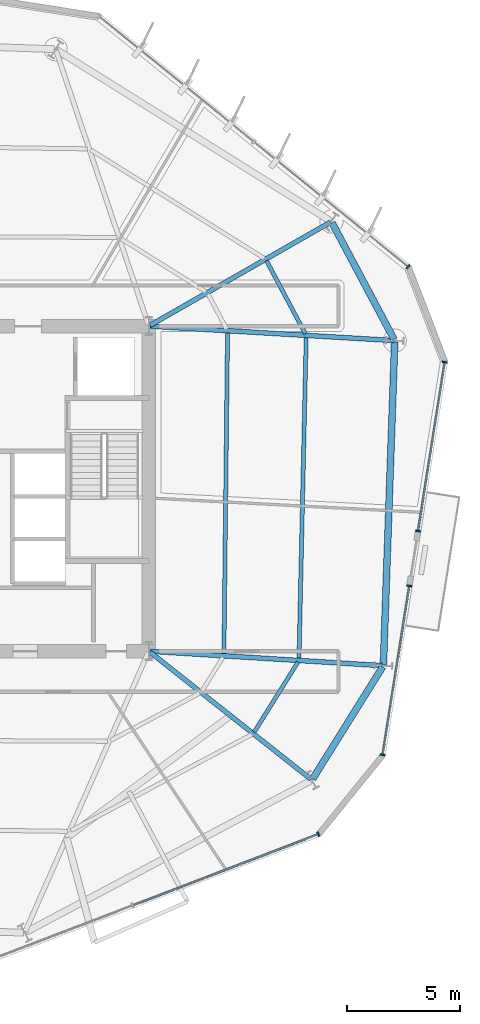
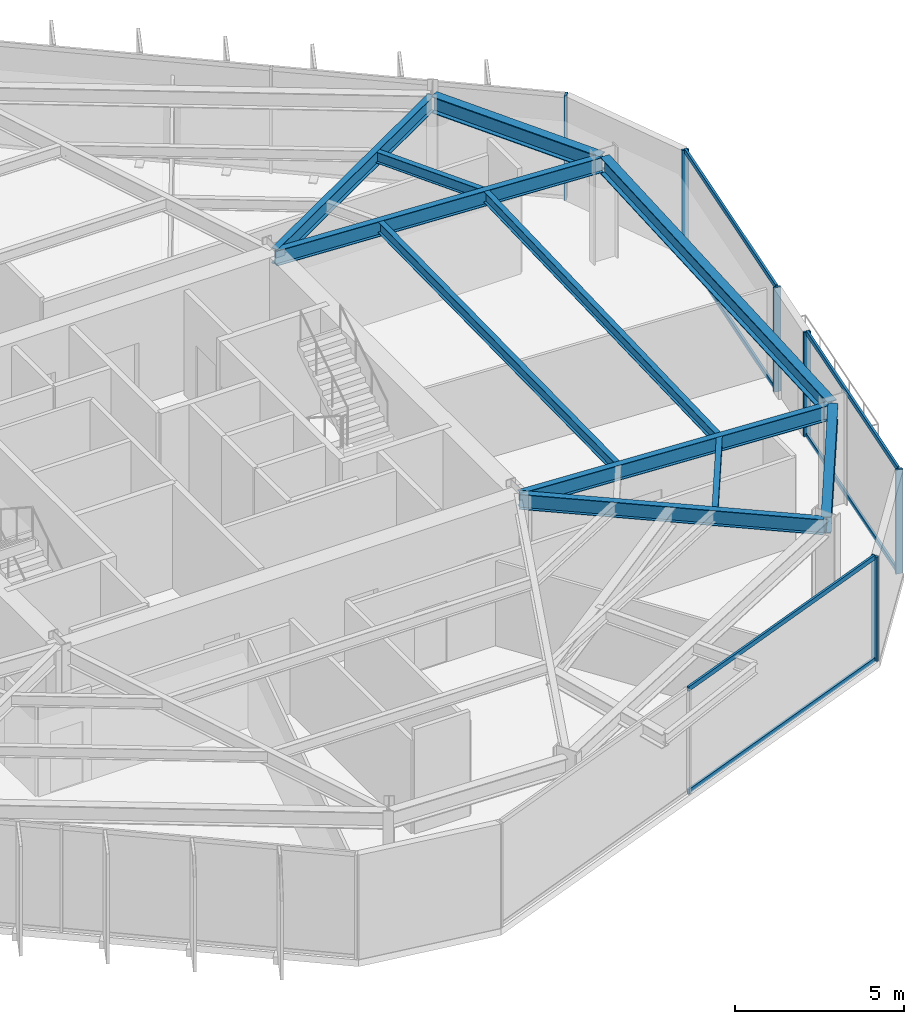
# One storey, part 4 of 11: 12 members, 11 beams, 4 elements without a shape of their own.
"""IFC4 building model written with IfcOpenShell, lengths in metres."""

from ifc_helpers import new_model, si_unit, direction, frame, origin, origin_2d, place, context, subcontext, project, spatial, rectangle, i_section, extrude, material, layer, layer_set, material_profile, profile_set, type_object, element, aggregate, save


model = new_model("IFC4")

# Units and contexts
model_context = context("Model", 3, precision=1e-05, world=origin(), true_north=direction((0.0, 1.0)))
body_context = subcontext(model_context, "Body", "Model", "MODEL_VIEW")
ifc_project = project(units=[si_unit("LENGTHUNIT", "METRE"), si_unit("AREAUNIT", "SQUARE_METRE"), si_unit("VOLUMEUNIT", "CUBIC_METRE"), si_unit("PLANEANGLEUNIT", "RADIAN"), si_unit("MASSUNIT", "GRAM", prefix="KILO")], contexts=[model_context])

# Site, building, storey
site_placement = place(None, origin())
site = spatial("IfcSite", under=ifc_project, at=site_placement, CompositionType="ELEMENT")
building_placement = place(site_placement, origin())
building = spatial("IfcBuilding", under=site, at=building_placement, Name="Kranzbogen Civic Tower", CompositionType="ELEMENT")
storey_placement = place(building_placement, frame((0.0, 0.0, 106.39990234375)))
storey = spatial("IfcBuildingStorey", under=building, at=storey_placement, Name="L25", CompositionType="ELEMENT", Elevation=106.39990234375)

# Curtain wall, member
ifc_material_1 = material(Name="Pale Anodised Aluminium", Category="aluminium")
ifc_layer = layer(ifc_material_1, 0.219970703125, Name="Pale Anodised Aluminium")
ifc_layer_set = layer_set([ifc_layer], Name="Pale Anodised Aluminium")
curtain_wall_type = type_object("IfcCurtainWallType", Name="Zone 2 Stick Curtain Wall System CW-03", PredefinedType="USERDEFINED", material=ifc_layer_set)
curtain_wall_1_placement = place(storey_placement, origin())
curtain_wall_1 = element("IfcCurtainWall", 1, at=curtain_wall_1_placement, inside=storey, type_object=curtain_wall_type, Name="L25 curtain wall CW-L25-F1", ObjectType="STICK CURTAIN WALL", PredefinedType="USERDEFINED")
ifc_material_profile_1 = material_profile(ifc_material_1, rectangle(XDim=0.074951171875, YDim=0.219970703125, at=origin_2d()), Name="ALU-M 75x220")
ifc_profile_set_1 = profile_set([ifc_material_profile_1], Name="Pale Anodised Aluminium")
member_type_1 = type_object("IfcMemberType", Name="Curtain Wall Mullion ALU-M 75x220", PredefinedType="MULLION", material=ifc_profile_set_1)
member_1_placement = place(storey_placement, frame((44.28466796875, 34.825927734375, 0.0), z_axis=(0.0, 0.0, 1.0), x_axis=(-0.777127546446, 0.629343131014, 0.0)))
member_1 = element("IfcMember", 2, at=member_1_placement, type_object=member_type_1, Name="CW-03 mullion 1", PredefinedType="MULLION", context=body_context, shape_type="SweptSolid", body=[
    extrude(rectangle(XDim=0.074951171875, YDim=0.219970703125, at=origin_2d()), origin(), (0.0, 0.0, 1.0), 3.760009765625),
])
aggregate(curtain_wall_1, [member_1])

curtain_wall_2_placement = place(storey_placement, origin())
curtain_wall_2 = element("IfcCurtainWall", 3, at=curtain_wall_2_placement, inside=storey, type_object=curtain_wall_type, Name="L25 curtain wall CW-L25-F5", ObjectType="STICK CURTAIN WALL", PredefinedType="USERDEFINED")
member_2_placement = place(storey_placement, frame((40.304931640625, 9.6962890625, 0.0), z_axis=(0.0, 0.0, 1.0), x_axis=(0.933570075247, 0.358394914309, 0.0)))
member_2 = element("IfcMember", 4, at=member_2_placement, type_object=member_type_1, Name="CW-03 mullion 3", PredefinedType="MULLION", context=body_context, shape_type="SweptSolid", body=[
    extrude(rectangle(XDim=0.074951171875, YDim=0.219970703125, at=origin_2d()), origin(), (0.0, 0.0, 1.0), 3.760009765625),
])

# Curtain wall, members
curtain_wall_3_placement = place(storey_placement, origin())
curtain_wall_3 = element("IfcCurtainWall", 5, at=curtain_wall_3_placement, inside=storey, type_object=curtain_wall_type, Name="L25 curtain wall CW-L25-F6-S1", ObjectType="STICK CURTAIN WALL", PredefinedType="USERDEFINED")
member_3_placement = place(storey_placement, frame((43.151611328125, 13.210693359375, 0.0), z_axis=(0.0, 0.0, 1.0), x_axis=(0.156386286729, 0.987695970085, 0.0)))
member_3 = element("IfcMember", 6, at=member_3_placement, type_object=member_type_1, Name="CW-03 mullion 1", PredefinedType="MULLION", context=body_context, shape_type="SweptSolid", body=[
    extrude(rectangle(XDim=0.074951171875, YDim=0.219970703125, at=origin_2d()), origin(), (0.0, 0.0, 1.0), 3.760009765625),
])
member_4_placement = place(storey_placement, frame((44.33642578125, 20.6923828125, 0.0), z_axis=(0.0, 0.0, 1.0), x_axis=(0.156386286729, 0.987695970085, 0.0)))
member_4 = element("IfcMember", 7, at=member_4_placement, type_object=member_type_1, Name="CW-03 mullion 2", PredefinedType="MULLION", context=body_context, shape_type="SweptSolid", body=[
    extrude(rectangle(XDim=0.074951171875, YDim=0.219970703125, at=origin_2d()), origin(), (0.0, 0.0, 1.0), 3.760009765625),
])

curtain_wall_4_placement = place(storey_placement, origin())
curtain_wall_4 = element("IfcCurtainWall", 8, at=curtain_wall_4_placement, inside=storey, type_object=curtain_wall_type, Name="L25 curtain wall CW-L25-F6-S2", ObjectType="STICK CURTAIN WALL", PredefinedType="USERDEFINED")
member_5_placement = place(storey_placement, frame((44.7216796875, 23.12158203125, 0.0), z_axis=(0.0, 0.0, 1.0), x_axis=(0.156386286729, 0.987695970085, 0.0)))
member_5 = element("IfcMember", 9, at=member_5_placement, type_object=member_type_1, Name="CW-03 mullion 1", PredefinedType="MULLION", context=body_context, shape_type="SweptSolid", body=[
    extrude(rectangle(XDim=0.074951171875, YDim=0.219970703125, at=origin_2d()), origin(), (0.0, 0.0, 1.0), 3.760009765625),
])
member_6_placement = place(storey_placement, frame((45.90625, 30.603271484375, 0.0), z_axis=(0.0, 0.0, 1.0), x_axis=(0.156386286729, 0.987695970085, 0.0)))
member_6 = element("IfcMember", 10, at=member_6_placement, type_object=member_type_1, Name="CW-03 mullion 2", PredefinedType="MULLION", context=body_context, shape_type="SweptSolid", body=[
    extrude(rectangle(XDim=0.074951171875, YDim=0.219970703125, at=origin_2d()), origin(), (0.0, 0.0, 1.0), 3.760009765625),
])

# Member
ifc_material_profile_2 = material_profile(ifc_material_1, rectangle(XDim=0.074951171875, YDim=0.1650390625, at=origin_2d()), Name="ALU-T 75x165")
ifc_profile_set_2 = profile_set([ifc_material_profile_2], Name="Pale Anodised Aluminium")
member_type_2 = type_object("IfcMemberType", Name="Curtain Wall Transom ALU-T 75x165", PredefinedType="USERDEFINED", material=ifc_profile_set_2)
member_7_placement = place(storey_placement, frame((32.114013671875, 6.5517578125, 0.030029296875), z_axis=(0.933569943848, 0.358395256587, 0.0), x_axis=(-0.358395256587, 0.933569943848, 0.0)))
member_7 = element("IfcMember", 11, at=member_7_placement, type_object=member_type_2, Name="CW-03 transom 2.1", ObjectType="TRANSOM", PredefinedType="USERDEFINED", context=body_context, shape_type="SweptSolid", body=[
    extrude(rectangle(XDim=0.074951171875, YDim=0.1650390625, at=origin_2d()), origin(), (0.0, 0.0, 1.0), 8.743896484375),
])

member_8_placement = place(storey_placement, frame((32.114013671875, 6.5517578125, 3.72998046875), z_axis=(0.933569943848, 0.358395256587, 0.0), x_axis=(-0.358395256587, 0.933569943848, 0.0)))
member_8 = element("IfcMember", 12, at=member_8_placement, type_object=member_type_2, Name="CW-03 transom 2.2", ObjectType="TRANSOM", PredefinedType="USERDEFINED", context=body_context, shape_type="SweptSolid", body=[
    extrude(rectangle(XDim=0.074951171875, YDim=0.1650390625, at=origin_2d()), origin(), (0.0, 0.0, 1.0), 8.743896484375),
])

aggregate(curtain_wall_2, [member_2, member_7, member_8])

member_9_placement = place(storey_placement, frame((43.156494140625, 13.240234375, 0.030029296875), z_axis=(0.156359603864, 0.987700194532, 0.0), x_axis=(-0.987700194532, 0.156359603864, 0.0)))
member_9 = element("IfcMember", 13, at=member_9_placement, type_object=member_type_2, Name="CW-03 transom 1.1", ObjectType="TRANSOM", PredefinedType="USERDEFINED", context=body_context, shape_type="SweptSolid", body=[
    extrude(rectangle(XDim=0.074951171875, YDim=0.1650390625, at=origin_2d()), origin(), (0.0, 0.0, 1.0), 7.51513671875),
])

member_10_placement = place(storey_placement, frame((43.156494140625, 13.240234375, 3.72998046875), z_axis=(0.156359603864, 0.987700194532, 0.0), x_axis=(-0.987700194532, 0.156359603864, 0.0)))
member_10 = element("IfcMember", 14, at=member_10_placement, type_object=member_type_2, Name="CW-03 transom 1.2", ObjectType="TRANSOM", PredefinedType="USERDEFINED", context=body_context, shape_type="SweptSolid", body=[
    extrude(rectangle(XDim=0.074951171875, YDim=0.1650390625, at=origin_2d()), origin(), (0.0, 0.0, 1.0), 7.51513671875),
])

aggregate(curtain_wall_3, [member_3, member_4, member_9, member_10])

member_11_placement = place(storey_placement, frame((44.726318359375, 23.1513671875, 0.030029296875), z_axis=(0.156396314594, 0.987694382277, 0.0), x_axis=(-0.987694382277, 0.156396314594, 0.0)))
member_11 = element("IfcMember", 15, at=member_11_placement, type_object=member_type_2, Name="CW-03 transom 1.1", ObjectType="TRANSOM", PredefinedType="USERDEFINED", context=body_context, shape_type="SweptSolid", body=[
    extrude(rectangle(XDim=0.074951171875, YDim=0.1650390625, at=origin_2d()), origin(), (0.0, 0.0, 1.0), 7.514892578125),
])

member_12_placement = place(storey_placement, frame((44.726318359375, 23.1513671875, 3.72998046875), z_axis=(0.156396314594, 0.987694382277, 0.0), x_axis=(-0.987694382277, 0.156396314594, 0.0)))
member_12 = element("IfcMember", 16, at=member_12_placement, type_object=member_type_2, Name="CW-03 transom 1.2", ObjectType="TRANSOM", PredefinedType="USERDEFINED", context=body_context, shape_type="SweptSolid", body=[
    extrude(rectangle(XDim=0.074951171875, YDim=0.1650390625, at=origin_2d()), origin(), (0.0, 0.0, 1.0), 7.514892578125),
])

aggregate(curtain_wall_4, [member_5, member_6, member_11, member_12])

# Beams
ifc_material_2 = material(Name="Steel S355", Category="steel")
ifc_material_profile_3 = material_profile(ifc_material_2, i_section(OverallWidth=0.300048828125, OverallDepth=0.60009765625, WebThickness=0.015380859375, FlangeThickness=0.030029296875, at=origin_2d()), Name="HEB 600")
ifc_profile_set_3 = profile_set([ifc_material_profile_3], Name="Steel S355")
beam_type_1 = type_object("IfcBeamType", Name="Perimeter Tube Spandrel Beam HEB 600", PredefinedType="SPANDREL", material=ifc_profile_set_3)
beam_1_placement = place(storey_placement, frame((40.054931640625, 12.14306640625, 3.460205078125), z_axis=(0.529863902903, 0.848082687242, 0.0), x_axis=(-0.848082687242, 0.529863902903, 0.0)))
element("IfcBeam", 17, at=beam_1_placement, inside=storey, type_object=beam_type_1, Name="L25 perimeter spandrel beam 05", PredefinedType="SPANDREL", context=body_context, shape_type="SweptSolid", body=[
    extrude(i_section(OverallWidth=0.300048828125, OverallDepth=0.60009765625, WebThickness=0.015380859375, FlangeThickness=0.030029296875, at=origin_2d()), origin(), (0.0, 0.0, 1.0), 5.850830078125),
])
beam_2_placement = place(storey_placement, frame((43.18896484375, 17.216064453125, 3.460205078125), z_axis=(0.034924229103, 0.999389963038, 0.0), x_axis=(-0.999389963038, 0.034924229103, 0.0)))
element("IfcBeam", 18, at=beam_2_placement, inside=storey, type_object=beam_type_1, Name="L25 perimeter spandrel beam 06", PredefinedType="SPANDREL", context=body_context, shape_type="SweptSolid", body=[
    extrude(i_section(OverallWidth=0.300048828125, OverallDepth=0.60009765625, WebThickness=0.015380859375, FlangeThickness=0.030029296875, at=origin_2d()), origin(), (0.0, 0.0, 1.0), 14.288818359375),
])
beam_3_placement = place(storey_placement, frame((43.662109375, 31.60888671875, 3.460205078125), z_axis=(-0.469565926668, 0.882897412224, 0.0), x_axis=(-0.882897412224, -0.469565926668, 0.0)))
element("IfcBeam", 19, at=beam_3_placement, inside=storey, type_object=beam_type_1, Name="L25 perimeter spandrel beam 07", PredefinedType="SPANDREL", context=body_context, shape_type="SweptSolid", body=[
    extrude(i_section(OverallWidth=0.300048828125, OverallDepth=0.60009765625, WebThickness=0.015380859375, FlangeThickness=0.030029296875, at=origin_2d()), origin(), (0.0, 0.0, 1.0), 5.852294921875),
])
ifc_material_profile_4 = material_profile(ifc_material_2, i_section(OverallWidth=0.2099609375, OverallDepth=0.550048828125, WebThickness=0.010986328125, FlangeThickness=0.01708984375, at=origin_2d()), Name="IPE 550")
ifc_profile_set_4 = profile_set([ifc_material_profile_4], Name="Steel S355")
beam_type_2 = type_object("IfcBeamType", Name="Radial Tower Floor Girder IPE 550", PredefinedType="BEAM", material=ifc_profile_set_4)
beam_4_placement = place(storey_placement, frame((39.97607421875, 12.12890625, 3.485107421875), z_axis=(-0.78457455683, 0.620034486763, 0.0), x_axis=(-0.620034486763, -0.78457455683, 0.0)))
element("IfcBeam", 20, at=beam_4_placement, inside=storey, type_object=beam_type_2, Name="L25 radial floor girder 05", PredefinedType="BEAM", context=body_context, shape_type="SweptSolid", body=[
    extrude(i_section(OverallWidth=0.2099609375, OverallDepth=0.550048828125, WebThickness=0.010986328125, FlangeThickness=0.01708984375, at=origin_2d()), origin(), (0.0, 0.0, 1.0), 9.086669921875),
])
beam_5_placement = place(storey_placement, frame((43.126953125, 17.159912109375, 3.485107421875), z_axis=(-0.998086872961, 0.061827130147, 0.0), x_axis=(-0.061827130147, -0.998086872961, 0.0)))
element("IfcBeam", 21, at=beam_5_placement, inside=storey, type_object=beam_type_2, Name="L25 radial floor girder 06", PredefinedType="BEAM", context=body_context, shape_type="SweptSolid", body=[
    extrude(i_section(OverallWidth=0.2099609375, OverallDepth=0.550048828125, WebThickness=0.010986328125, FlangeThickness=0.01708984375, at=origin_2d()), origin(), (0.0, 0.0, 1.0), 10.28662109375),
])
beam_6_placement = place(storey_placement, frame((43.6298828125, 31.56005859375, 3.485107421875), z_axis=(-0.998260925387, 0.058950189528, 0.0), x_axis=(-0.058950189528, -0.998260925387, 0.0)))
element("IfcBeam", 22, at=beam_6_placement, inside=storey, type_object=beam_type_2, Name="L25 radial floor girder 07", PredefinedType="BEAM", context=body_context, shape_type="SweptSolid", body=[
    extrude(i_section(OverallWidth=0.2099609375, OverallDepth=0.550048828125, WebThickness=0.010986328125, FlangeThickness=0.01708984375, at=origin_2d()), origin(), (0.0, 0.0, 1.0), 10.78857421875),
])
beam_7_placement = place(storey_placement, frame((40.833984375, 36.799072265625, 3.485107421875), z_axis=(-0.867868812182, -0.496793442833, 0.0), x_axis=(0.496793442833, -0.867868812182, 0.0)))
element("IfcBeam", 23, at=beam_7_placement, inside=storey, type_object=beam_type_2, Name="L25 radial floor girder 08", PredefinedType="BEAM", context=body_context, shape_type="SweptSolid", body=[
    extrude(i_section(OverallWidth=0.2099609375, OverallDepth=0.550048828125, WebThickness=0.010986328125, FlangeThickness=0.01708984375, at=origin_2d()), origin(), (0.0, 0.0, 1.0), 9.197265625),
])
ifc_material_profile_5 = material_profile(ifc_material_2, i_section(OverallWidth=0.179931640625, OverallDepth=0.39990234375, WebThickness=0.008544921875, FlangeThickness=0.013427734375, at=origin_2d()), Name="IPE 400")
ifc_profile_set_5 = profile_set([ifc_material_profile_5], Name="Steel S355")
beam_type_3 = type_object("IfcBeamType", Name="Secondary Composite Floor Joist IPE 400", PredefinedType="JOIST", material=ifc_profile_set_5)
beam_8_placement = place(storey_placement, frame((37.465087890625, 14.215087890625, 3.56005859375), z_axis=(0.529867065107, 0.848080711557, 0.0), x_axis=(-0.848080711557, 0.529867065107, 0.0)))
element("IfcBeam", 24, at=beam_8_placement, inside=storey, type_object=beam_type_3, Name="L25 secondary floor joist 1.05", PredefinedType="JOIST", context=body_context, shape_type="SweptSolid", body=[
    extrude(i_section(OverallWidth=0.179931640625, OverallDepth=0.39990234375, WebThickness=0.008544921875, FlangeThickness=0.013427734375, at=origin_2d()), origin(), (0.0, 0.0, 1.0), 3.6611328125),
])
beam_9_placement = place(storey_placement, frame((39.448974609375, 17.468017578125, 3.56005859375), z_axis=(0.022402523442, 0.999749031979, 0.0), x_axis=(-0.999749031979, 0.022402523442, 0.0)))
element("IfcBeam", 25, at=beam_9_placement, inside=storey, type_object=beam_type_3, Name="L25 secondary floor joist 1.06", PredefinedType="JOIST", context=body_context, shape_type="SweptSolid", body=[
    extrude(i_section(OverallWidth=0.179931640625, OverallDepth=0.39990234375, WebThickness=0.008544921875, FlangeThickness=0.013427734375, at=origin_2d()), origin(), (0.0, 0.0, 1.0), 14.24365234375),
])
beam_10_placement = place(storey_placement, frame((36.125, 17.674072265625, 3.56005859375), z_axis=(0.011160516663, 0.999937719494, 0.0), x_axis=(-0.999937719494, 0.011160516663, 0.0)))
element("IfcBeam", 26, at=beam_10_placement, inside=storey, type_object=beam_type_3, Name="L25 secondary floor joist 2.06", PredefinedType="JOIST", context=body_context, shape_type="SweptSolid", body=[
    extrude(i_section(OverallWidth=0.179931640625, OverallDepth=0.39990234375, WebThickness=0.008544921875, FlangeThickness=0.013427734375, at=origin_2d()), origin(), (0.0, 0.0, 1.0), 14.240966796875),
])
beam_11_placement = place(storey_placement, frame((39.73193359375, 31.85791015625, 3.56005859375), z_axis=(-0.469338791783, 0.88301817565, 0.0), x_axis=(-0.88301817565, -0.469338791783, 0.0)))
element("IfcBeam", 27, at=beam_11_placement, inside=storey, type_object=beam_type_3, Name="L25 secondary floor joist 1.07", PredefinedType="JOIST", context=body_context, shape_type="SweptSolid", body=[
    extrude(i_section(OverallWidth=0.179931640625, OverallDepth=0.39990234375, WebThickness=0.008544921875, FlangeThickness=0.013427734375, at=origin_2d()), origin(), (0.0, 0.0, 1.0), 3.66259765625),
])

save(model, "model.ifc")
